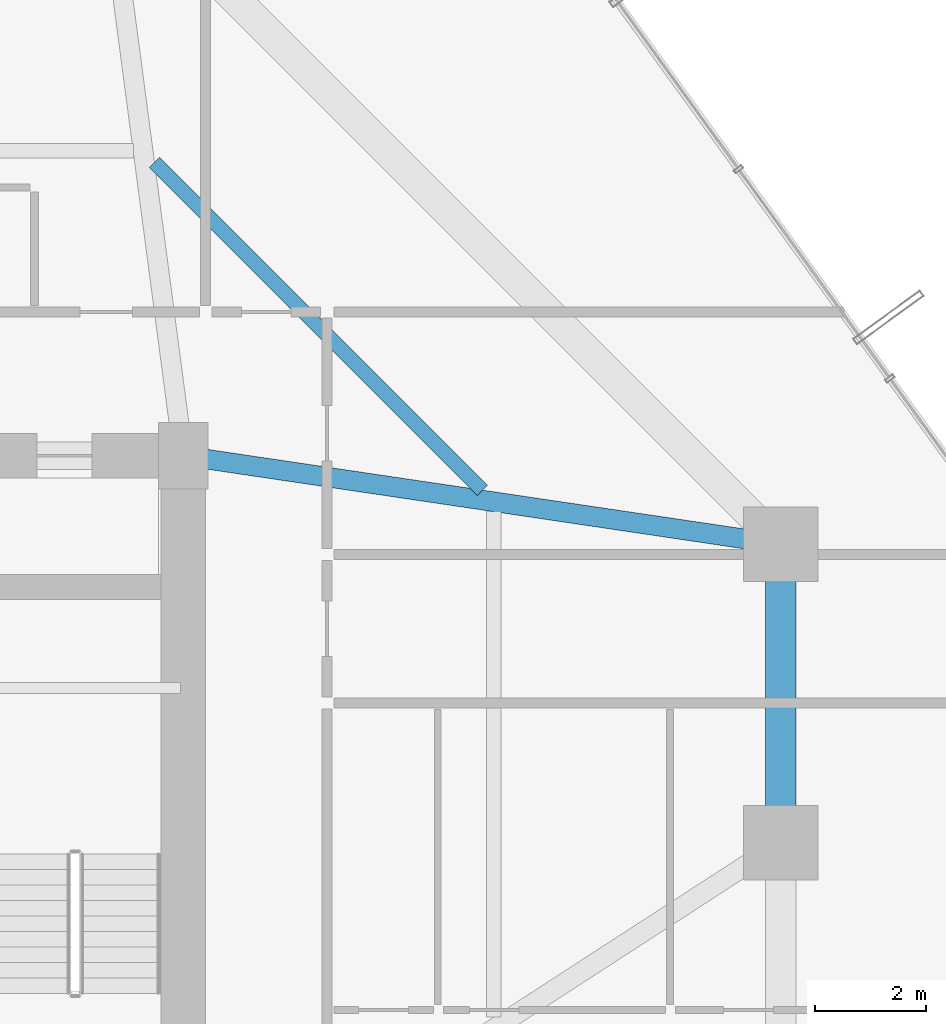
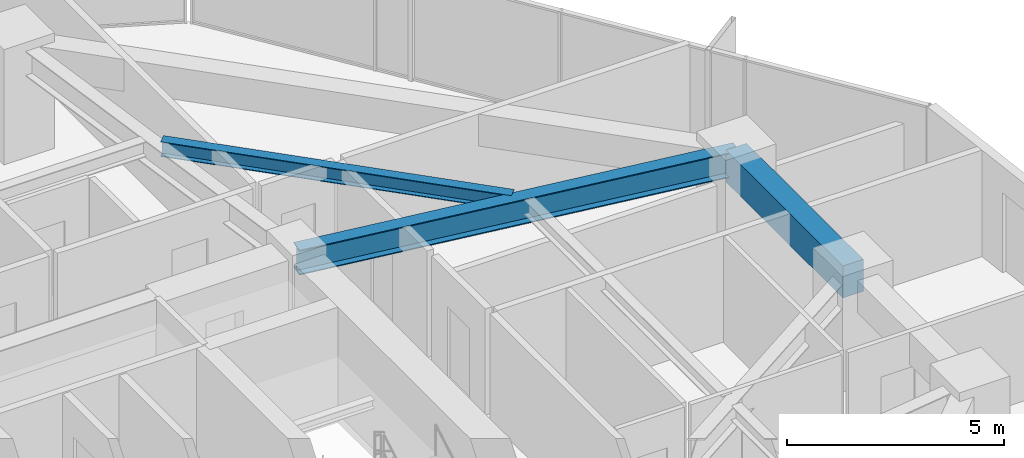
# One storey, part 19 of 37: 3 beams.
"""IFC4 building model written with IfcOpenShell, lengths in metres."""

from ifc_helpers import new_model, si_unit, direction, frame, origin, origin_2d, place, context, subcontext, project, spatial, rectangle, i_section, extrude, material, material_profile, profile_set, type_object, element, save


model = new_model("IFC4")

# Units and contexts
model_context = context("Model", 3, precision=1e-05, world=origin(), true_north=direction((0.0, 1.0)))
body_context = subcontext(model_context, "Body", "Model", "MODEL_VIEW")
ifc_project = project(units=[si_unit("LENGTHUNIT", "METRE"), si_unit("AREAUNIT", "SQUARE_METRE"), si_unit("VOLUMEUNIT", "CUBIC_METRE"), si_unit("PLANEANGLEUNIT", "RADIAN"), si_unit("MASSUNIT", "GRAM", prefix="KILO")], contexts=[model_context])

# Site, building, storey
site_placement = place(None, origin())
site = spatial("IfcSite", under=ifc_project, at=site_placement, CompositionType="ELEMENT")
building_placement = place(site_placement, origin())
building = spatial("IfcBuilding", under=site, at=building_placement, Name="Veraguas Prism Commons", CompositionType="ELEMENT")
storey_placement = place(building_placement, frame((0.0, 0.0, 43.550048828125)))
storey = spatial("IfcBuildingStorey", under=building, at=storey_placement, Name="L11", CompositionType="ELEMENT", Elevation=43.550048828125)

# Beams
ifc_material_1 = material(Name="Steel ASTM A992 Grade 50", Category="steel")
ifc_material_profile_1 = material_profile(ifc_material_1, i_section(OverallWidth=0.260986328125, OverallDepth=0.419921875, WebThickness=0.01171875, FlangeThickness=0.019287109375, at=origin_2d()), Name="W410X114")
ifc_profile_set_1 = profile_set([ifc_material_profile_1], Name="Steel ASTM A992 Grade 50")
beam_type_1 = type_object("IfcBeamType", Name="Lower Floor Joist W410x114", PredefinedType="JOIST", material=ifc_profile_set_1)
beam_1_placement = place(storey_placement, frame((36.20703125, 30.376953125, 2.7900390625), z_axis=(-0.707092226423, 0.70712133565, 0.0), x_axis=(-0.70712133565, -0.707092226423, 0.0)))
element("IfcBeam", 1, at=beam_1_placement, inside=storey, type_object=beam_type_1, Name="Composite Floor Joist L11-JS03", PredefinedType="JOIST", context=body_context, shape_type="SweptSolid", body=[
    extrude(i_section(OverallWidth=0.260986328125, OverallDepth=0.419921875, WebThickness=0.01171875, FlangeThickness=0.019287109375, at=origin_2d()), origin(), (0.0, 0.0, 1.0), 8.386962890625),
])
ifc_material_2 = material(Name="Concrete C50/60", Category="concrete")
ifc_material_profile_2 = material_profile(ifc_material_2, rectangle(XDim=0.550048828125, YDim=0.89990234375, at=origin_2d()), Name="RC550X900")
ifc_profile_set_2 = profile_set([ifc_material_profile_2], Name="Concrete C50/60")
beam_type_2 = type_object("IfcBeamType", Name="Perimeter Spandrel Lower RC 550x900", PredefinedType="SPANDREL", material=ifc_profile_set_2)
beam_2_placement = place(storey_placement, frame((41.60009765625, 24.0, 2.550048828125), z_axis=(0.0, 1.0, 0.0), x_axis=(-1.0, 0.0, 0.0)))
element("IfcBeam", 2, at=beam_2_placement, inside=storey, type_object=beam_type_2, Name="Perimeter Spandrel Beam L11-SP02", PredefinedType="SPANDREL", context=body_context, shape_type="SweptSolid", body=[
    extrude(rectangle(XDim=0.550048828125, YDim=0.89990234375, at=origin_2d()), origin(), (0.0, 0.0, 1.0), 5.39990234375),
])
ifc_material_profile_3 = material_profile(ifc_material_1, i_section(OverallWidth=0.35595703125, OverallDepth=0.700927734375, WebThickness=0.016845703125, FlangeThickness=0.02734375, at=origin_2d()), Name="W690X240")
ifc_profile_set_3 = profile_set([ifc_material_profile_3], Name="Steel ASTM A992 Grade 50")
beam_type_3 = type_object("IfcBeamType", Name="Zone 1 Radial Girder W690x240", PredefinedType="BEAM", material=ifc_profile_set_3)
beam_3_placement = place(storey_placement, frame((41.60009765625, 29.39990234375, 2.6494140625), z_axis=(-0.989202261707, 0.146556765224, 0.0), x_axis=(-0.146556765224, -0.989202261707, 0.0)))
element("IfcBeam", 3, at=beam_3_placement, inside=storey, type_object=beam_type_3, Name="Radial Floor Girder L11-RD03", PredefinedType="BEAM", context=body_context, shape_type="SweptSolid", body=[
    extrude(i_section(OverallWidth=0.35595703125, OverallDepth=0.700927734375, WebThickness=0.016845703125, FlangeThickness=0.02734375, at=origin_2d()), origin(), (0.0, 0.0, 1.0), 10.91796875),
])

save(model, "model.ifc")
